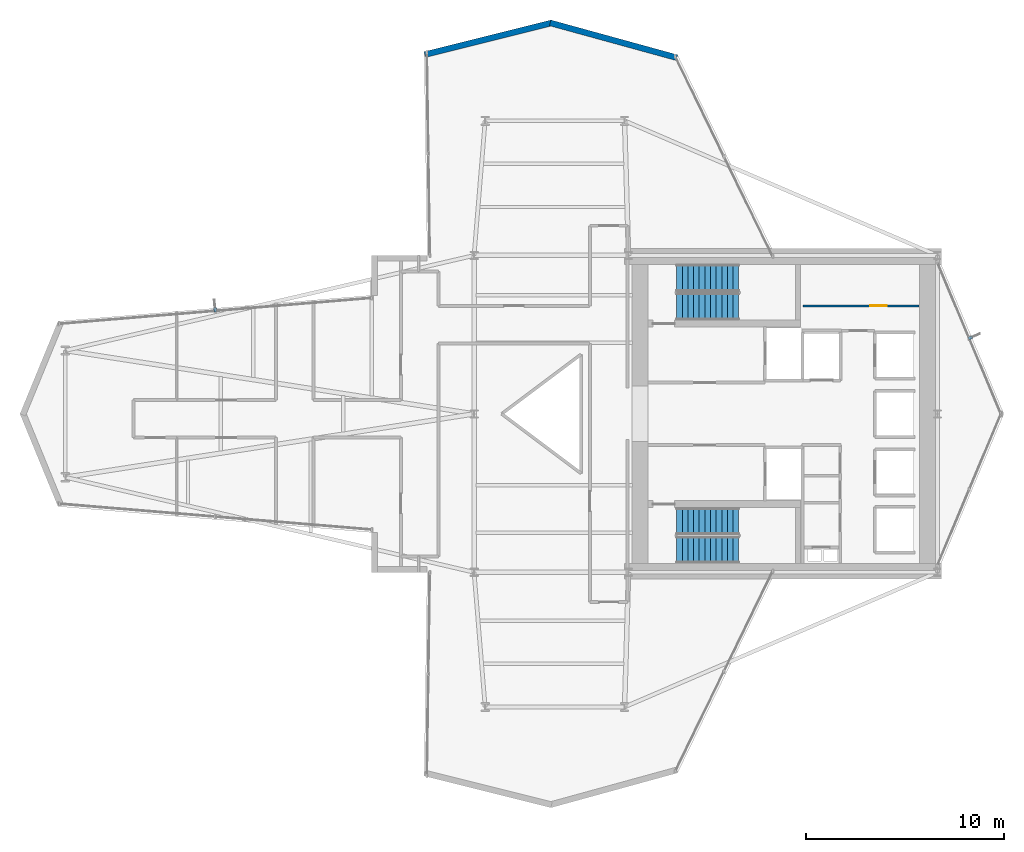
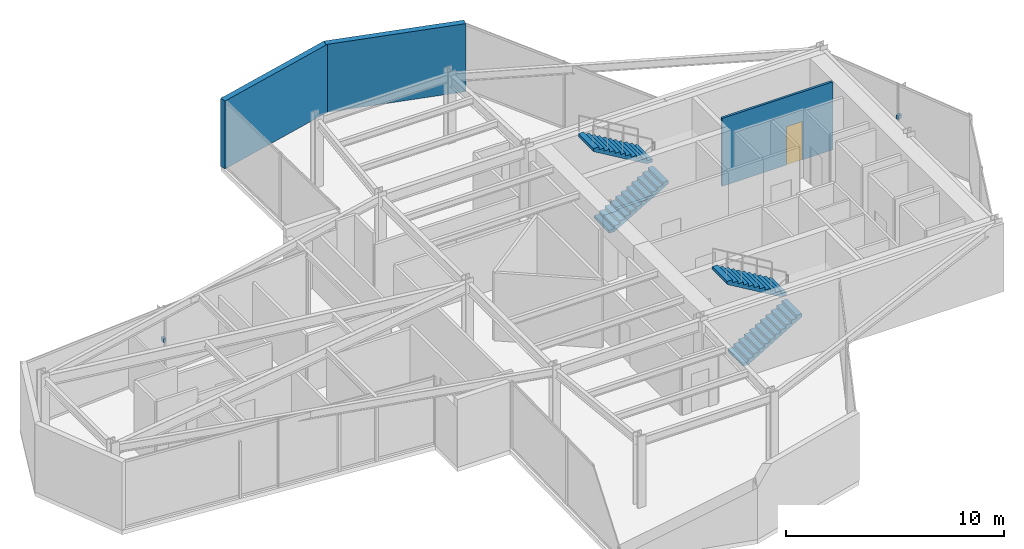
# One storey, part 24 of 25: 4 stair flights, 3 walls, 2 discrete accessories, 1 door, 1 opening, 2 elements without a shape of their own.
"""IFC4 building model written with IfcOpenShell, lengths in metres."""

from ifc_helpers import new_model, si_unit, direction, frame, frame_2d, origin, origin_2d, place, context, subcontext, project, spatial, polyline, rectangle, outline, extrude, material, layer, layer_set, type_object, element, fill, aggregate, save


model = new_model("IFC4")

# Units and contexts
model_context = context("Model", 3, precision=1e-05, world=origin(), true_north=direction((0.0, 1.0)))
body_context = subcontext(model_context, "Body", "Model", "MODEL_VIEW")
ifc_project = project(units=[si_unit("LENGTHUNIT", "METRE"), si_unit("AREAUNIT", "SQUARE_METRE"), si_unit("VOLUMEUNIT", "CUBIC_METRE"), si_unit("PLANEANGLEUNIT", "RADIAN"), si_unit("MASSUNIT", "GRAM", prefix="KILO")], contexts=[model_context])

# Site, building, storey
site_placement = place(None, origin())
site = spatial("IfcSite", under=ifc_project, at=site_placement, CompositionType="ELEMENT")
building_placement = place(site_placement, origin())
building = spatial("IfcBuilding", under=site, at=building_placement, Name="Veymaron Broadcast Tower", CompositionType="ELEMENT")
storey_placement = place(building_placement, frame((0.0, 0.0, 116.85009765625)))
storey = spatial("IfcBuildingStorey", under=building, at=storey_placement, Name="L26", CompositionType="ELEMENT", Elevation=116.85009765625)

# Walls
ifc_material_1 = material(Name="Precast concrete C40/50 with mineral-wool insulation", Category="concrete")
ifc_layer_1 = layer(ifc_material_1, 0.300048828125)
ifc_layer_set_1 = layer_set([ifc_layer_1], Name="Precast concrete C40/50 with mineral-wool insulation")
wall_type_1 = type_object("IfcWallType", Name="WALL-EXT-300", PredefinedType="STANDARD", material=ifc_layer_set_1)
wall_1_placement = place(storey_placement, frame((41.445068359375, 41.985107421875, 0.0), z_axis=(0.0, 0.0, 1.0), x_axis=(-0.96422724659, 0.265077001894, 0.0)))
element("IfcWall", 1, at=wall_1_placement, inside=storey, type_object=wall_type_1, Name="L26 notched corner facade pier 6-1", PredefinedType="STANDARD", context=body_context, shape_type="SweptSolid", body=[
    extrude(rectangle(XDim=6.6396484375, YDim=0.300048828125, at=frame_2d((3.31982421875, 0.0))), origin(), (0.0, 0.0, 1.0), 3.809814453125),
])
wall_2_placement = place(storey_placement, frame((35.114013671875, 43.744140625, 0.0), z_axis=(0.0, 0.0, 1.0), x_axis=(-0.970168608955, -0.242431165897, 0.0)))
element("IfcWall", 2, at=wall_2_placement, inside=storey, type_object=wall_type_1, Name="L26 notched corner facade pier 7-1", PredefinedType="STANDARD", context=body_context, shape_type="SweptSolid", body=[
    extrude(rectangle(XDim=6.59912109375, YDim=0.300048828125, at=frame_2d((3.299560546875, 0.0))), origin(), (0.0, 0.0, 1.0), 3.809814453125),
])

# Wall, opening, door
ifc_material_2 = material(Name="Acoustic gypsum board and galvanized stud", Category="gypsum")
ifc_layer_2 = layer(ifc_material_2, 0.1201171875)
ifc_layer_set_2 = layer_set([ifc_layer_2], Name="Acoustic gypsum board and galvanized stud")
wall_type_2 = type_object("IfcWallType", Name="WALL-PART-120", PredefinedType="PARTITIONING", material=ifc_layer_set_2)
wall_3_placement = place(storey_placement, frame((47.800048828125, 29.449951171875, 0.0), z_axis=(0.0, 0.0, 1.0), x_axis=(1.0, 0.0, 0.0)))
wall_3 = element("IfcWall", 3, at=wall_3_placement, inside=storey, type_object=wall_type_2, Name="L26 partition IW-L26-F1-MY", PredefinedType="PARTITIONING", context=body_context, shape_type="SweptSolid", body=[
    extrude(rectangle(XDim=5.85986328125, YDim=0.1201171875, at=frame_2d((2.929931640625, 0.0))), origin(), (0.0, 0.0, 1.0), 3.809814453125),
])
opening_placement = place(wall_3_placement, frame((3.39990234375, 0.0, 0.0)))
opening = element("IfcOpeningElement", 4, at=opening_placement, cuts=wall_3, Name="Opening ID-WC1", PredefinedType="OPENING", context=body_context, shape_type="SweptSolid", body=[
    extrude(rectangle(XDim=0.85009765625, YDim=2.14990234375, at=frame_2d((0.425048828125, 1.074951171875))), frame((0.0, 0.070068359375, 0.0), z_axis=(0.0, -1.0, 0.0), x_axis=(1.0, 0.0, 0.0)), (0.0, 0.0, 1.0), 0.14013671875),
])
ifc_material_3 = material(Name="Moisture-resistant high-pressure laminate timber", Category="wood")
door_type = type_object("IfcDoorType", Name="DOOR-INT-850", OperationType="NOTDEFINED", PredefinedType="DOOR", material=ifc_material_3)
door_placement = place(opening_placement, origin())
door = element("IfcDoor", 5, at=door_placement, inside=storey, type_object=door_type, Name="L26 door DR-L26-F1B", OperationType="SINGLE_SWING_LEFT", OverallHeight=2.14990234375, OverallWidth=0.85009765625, PredefinedType="DOOR", context=body_context, shape_type="SweptSolid", body=[
    extrude(rectangle(XDim=0.85009765625, YDim=2.14990234375, at=frame_2d((0.425048828125, 1.074951171875))), frame((0.0, 0.02490234375, 0.0), z_axis=(0.0, -1.0, 0.0), x_axis=(1.0, 0.0, 0.0)), (0.0, 0.0, 1.0), 0.050048828125),
])
fill(opening, door)

# Stair, stair flights
ifc_material_4 = material(Name="Concrete C50/60", Category="concrete")
stair_type_1 = type_object("IfcStairType", Name="STAIR-CORE-1", PredefinedType="HALF_TURN_STAIR", material=ifc_material_4)
stair_1_placement = place(storey_placement, origin())
stair_1 = element("IfcStair", 6, at=stair_1_placement, inside=storey, type_object=stair_type_1, Name="L26 North protected dog-leg exit stair ST1", PredefinedType="HALF_TURN_STAIR")
ifc_material_5 = material(Name="Precast concrete C50/60", Category="concrete")
stair_flight_type = type_object("IfcStairFlightType", Name="FLT-CORE-RC", PredefinedType="STRAIGHT", material=ifc_material_5)
stair_flight_1_placement = place(storey_placement, frame((41.429931640625, 29.419921875, 0.0), z_axis=(0.0, 0.0, 1.0), x_axis=(1.0, 0.0, 0.0)))
stair_flight_1 = element("IfcStairFlight", 7, at=stair_flight_1_placement, type_object=stair_flight_type, Name="ST1 flight 1", NumberOfRisers=12, NumberOfTreads=11, PredefinedType="STRAIGHT", RiserHeight=0.16875, TreadLength=0.285, context=body_context, shape_type="SweptSolid", body=[
    extrude(outline(polyline([(0.0, 0.0), (0.0, 0.168701171875), (0.284912109375, 0.168701171875), (0.284912109375, 0.33740234375), (0.570068359375, 0.33740234375), (0.570068359375, 0.50634765625), (0.85498046875, 0.50634765625), (0.85498046875, 0.675048828125), (1.139892578125, 0.675048828125), (1.139892578125, 0.84375), (1.425048828125, 0.84375), (1.425048828125, 1.012451171875), (1.7099609375, 1.012451171875), (1.7099609375, 1.18115234375), (1.9951171875, 1.18115234375), (1.9951171875, 1.35009765625), (2.280029296875, 1.35009765625), (2.280029296875, 1.518798828125), (2.56494140625, 1.518798828125), (2.56494140625, 1.6875), (2.85009765625, 1.6875), (2.85009765625, 1.856201171875), (3.135009765625, 1.856201171875), (3.135009765625, 2.02490234375), (3.135009765625, 1.68212890625), (0.294189453125, 0.0), (0.0, 0.0)])), frame((0.0, 0.68994140625, 0.0), z_axis=(0.0, -1.0, 0.0), x_axis=(1.0, 0.0, 0.0)), (0.0, 0.0, 1.0), 1.3798828125),
])
stair_flight_2_placement = place(storey_placement, frame((44.56494140625, 30.860107421875, 2.02490234375), z_axis=(0.0, 0.0, 1.0), x_axis=(-1.0, 0.0, 0.0)))
stair_flight_2 = element("IfcStairFlight", 8, at=stair_flight_2_placement, type_object=stair_flight_type, Name="ST1 flight 2", NumberOfRisers=12, NumberOfTreads=11, PredefinedType="STRAIGHT", RiserHeight=0.16875, TreadLength=0.285, context=body_context, shape_type="SweptSolid", body=[
    extrude(outline(polyline([(0.0, 0.0), (0.0, 0.168701171875), (0.284912109375, 0.168701171875), (0.284912109375, 0.33740234375), (0.570068359375, 0.33740234375), (0.570068359375, 0.50634765625), (0.85498046875, 0.50634765625), (0.85498046875, 0.675048828125), (1.139892578125, 0.675048828125), (1.139892578125, 0.84375), (1.425048828125, 0.84375), (1.425048828125, 1.012451171875), (1.7099609375, 1.012451171875), (1.7099609375, 1.18115234375), (1.9951171875, 1.18115234375), (1.9951171875, 1.35009765625), (2.280029296875, 1.35009765625), (2.280029296875, 1.518798828125), (2.56494140625, 1.518798828125), (2.56494140625, 1.6875), (2.85009765625, 1.6875), (2.85009765625, 1.856201171875), (3.135009765625, 1.856201171875), (3.135009765625, 2.02490234375), (3.135009765625, 1.68212890625), (0.294189453125, 0.0), (0.0, 0.0)])), frame((0.0, 0.68994140625, 0.0), z_axis=(0.0, -1.0, 0.0), x_axis=(1.0, 0.0, 0.0)), (0.0, 0.0, 1.0), 1.3798828125),
])
aggregate(stair_1, [stair_flight_1, stair_flight_2])

stair_type_2 = type_object("IfcStairType", Name="STAIR-CORE-2", PredefinedType="HALF_TURN_STAIR", material=ifc_material_4)
stair_2_placement = place(storey_placement, origin())
stair_2 = element("IfcStair", 9, at=stair_2_placement, inside=storey, type_object=stair_type_2, Name="L26 South protected dog-leg exit stair ST2", PredefinedType="HALF_TURN_STAIR")
stair_flight_3_placement = place(storey_placement, frame((41.429931640625, 17.139892578125, 0.0), z_axis=(0.0, 0.0, 1.0), x_axis=(1.0, 0.0, 0.0)))
stair_flight_3 = element("IfcStairFlight", 10, at=stair_flight_3_placement, type_object=stair_flight_type, Name="ST2 flight 1", NumberOfRisers=12, NumberOfTreads=11, PredefinedType="STRAIGHT", RiserHeight=0.16875, TreadLength=0.285, context=body_context, shape_type="SweptSolid", body=[
    extrude(outline(polyline([(0.0, 0.0), (0.0, 0.168701171875), (0.284912109375, 0.168701171875), (0.284912109375, 0.33740234375), (0.570068359375, 0.33740234375), (0.570068359375, 0.50634765625), (0.85498046875, 0.50634765625), (0.85498046875, 0.675048828125), (1.139892578125, 0.675048828125), (1.139892578125, 0.84375), (1.425048828125, 0.84375), (1.425048828125, 1.012451171875), (1.7099609375, 1.012451171875), (1.7099609375, 1.18115234375), (1.9951171875, 1.18115234375), (1.9951171875, 1.35009765625), (2.280029296875, 1.35009765625), (2.280029296875, 1.518798828125), (2.56494140625, 1.518798828125), (2.56494140625, 1.6875), (2.85009765625, 1.6875), (2.85009765625, 1.856201171875), (3.135009765625, 1.856201171875), (3.135009765625, 2.02490234375), (3.135009765625, 1.68212890625), (0.294189453125, 0.0), (0.0, 0.0)])), frame((0.0, 0.68994140625, 0.0), z_axis=(0.0, -1.0, 0.0), x_axis=(1.0, 0.0, 0.0)), (0.0, 0.0, 1.0), 1.3798828125),
])
stair_flight_4_placement = place(storey_placement, frame((44.56494140625, 18.580078125, 2.02490234375), z_axis=(0.0, 0.0, 1.0), x_axis=(-1.0, 0.0, 0.0)))
stair_flight_4 = element("IfcStairFlight", 11, at=stair_flight_4_placement, type_object=stair_flight_type, Name="ST2 flight 2", NumberOfRisers=12, NumberOfTreads=11, PredefinedType="STRAIGHT", RiserHeight=0.16875, TreadLength=0.285, context=body_context, shape_type="SweptSolid", body=[
    extrude(outline(polyline([(0.0, 0.0), (0.0, 0.168701171875), (0.284912109375, 0.168701171875), (0.284912109375, 0.33740234375), (0.570068359375, 0.33740234375), (0.570068359375, 0.50634765625), (0.85498046875, 0.50634765625), (0.85498046875, 0.675048828125), (1.139892578125, 0.675048828125), (1.139892578125, 0.84375), (1.425048828125, 0.84375), (1.425048828125, 1.012451171875), (1.7099609375, 1.012451171875), (1.7099609375, 1.18115234375), (1.9951171875, 1.18115234375), (1.9951171875, 1.35009765625), (2.280029296875, 1.35009765625), (2.280029296875, 1.518798828125), (2.56494140625, 1.518798828125), (2.56494140625, 1.6875), (2.85009765625, 1.6875), (2.85009765625, 1.856201171875), (3.135009765625, 1.856201171875), (3.135009765625, 2.02490234375), (3.135009765625, 1.68212890625), (0.294189453125, 0.0), (0.0, 0.0)])), frame((0.0, 0.68994140625, 0.0), z_axis=(0.0, -1.0, 0.0), x_axis=(1.0, 0.0, 0.0)), (0.0, 0.0, 1.0), 1.3798828125),
])
aggregate(stair_2, [stair_flight_3, stair_flight_4])

# Discrete accessories
ifc_material_6 = material(Name="Austenitic stainless steel AISI 316L", Category="steel")
ifc_layer_3 = layer(ifc_material_6, 0.1201171875)
ifc_layer_set_3 = layer_set([ifc_layer_3], Name="Austenitic stainless steel AISI 316L")
discrete_accessory_type = type_object("IfcDiscreteAccessoryType", Name="ACC-BRKT-SS1", PredefinedType="BRACKET", material=ifc_layer_set_3)
for number, where, z_axis, x_axis, name in (
    (12, (56.25927734375, 27.843017578125, 1.794921875), (0.0, 0.0, 1.0), (0.921984847706, 0.387225955483, 0.0), "CW-L26-E3-1 fin bracket 1"),
    (13, (18.126708984375, 29.2548828125, 1.794921875), (0.0, 0.0, 1.0), (-0.082529910699, 0.996588588054, 0.0), "CW-L26-E11-1 fin bracket 1"),
):
    element("IfcDiscreteAccessory", number, at=place(storey_placement, frame(where, z_axis=z_axis, x_axis=x_axis)), inside=storey, type_object=discrete_accessory_type, Name=name, PredefinedType="BRACKET", context=body_context, shape_type="SweptSolid", body=[
        extrude(rectangle(XDim=0.219970703125, YDim=0.139892578125, at=origin_2d()), origin(), (0.0, 0.0, 1.0), 0.219970703125),
    ])

save(model, "model.ifc")
